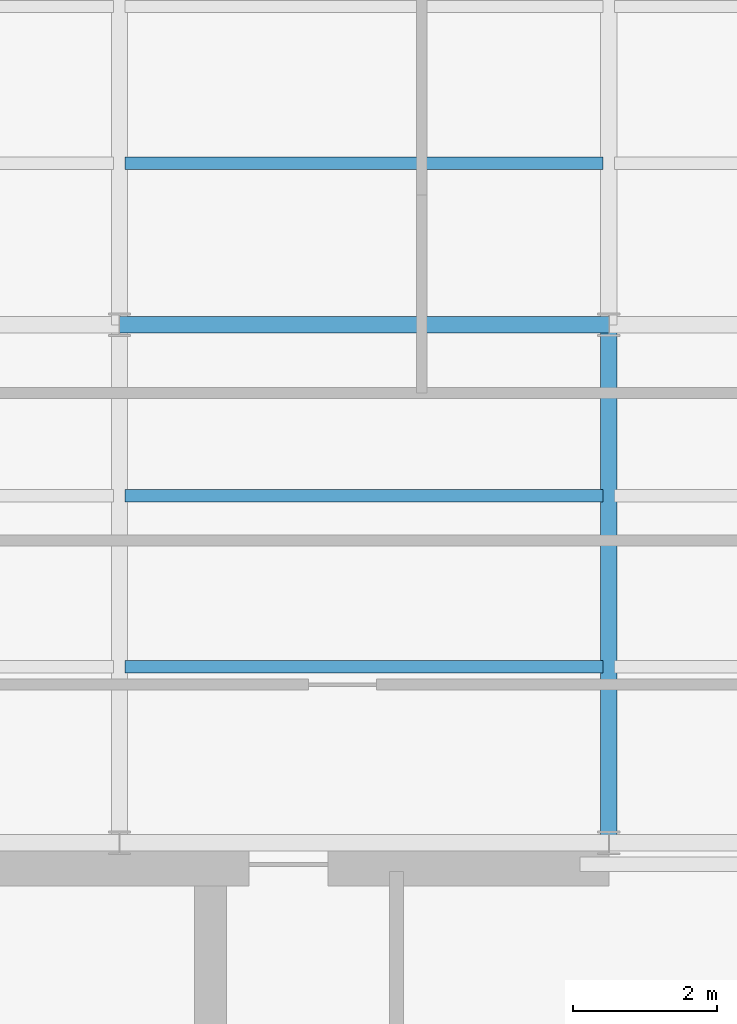
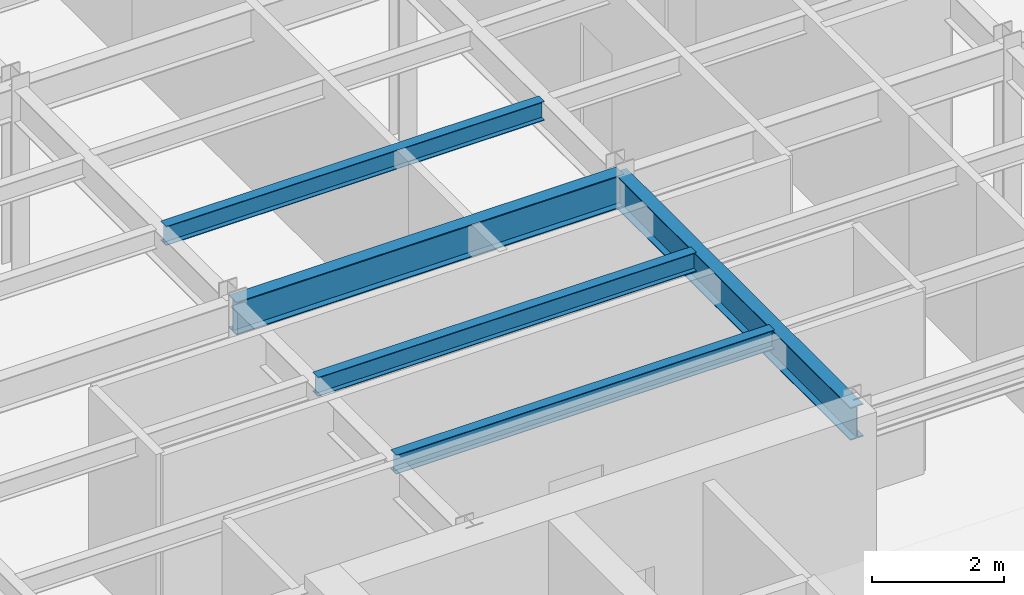
# One storey, part 6 of 22: 5 beams.
"""IFC4 building model written with IfcOpenShell, lengths in metres."""

from ifc_helpers import new_model, si_unit, derived_unit, direction, frame, origin, origin_2d, place, context, subcontext, project, spatial, i_section, extrude, source, transform, mapped, material, material_profile, profile_set, type_object, element, save


model = new_model("IFC4")

# Units and contexts
model_context = context("Model", 3, precision=1e-05, world=origin(), true_north=direction((0.0, 1.0)))
body_context = subcontext(model_context, "Body", "Model", "MODEL_VIEW")
ifc_project = project(units=[si_unit("LENGTHUNIT", "METRE"), si_unit("AREAUNIT", "SQUARE_METRE"), si_unit("VOLUMEUNIT", "CUBIC_METRE"), si_unit("PLANEANGLEUNIT", "RADIAN"), si_unit("MASSUNIT", "GRAM", prefix="KILO"), derived_unit("THERMALTRANSMITTANCEUNIT", [(si_unit("POWERUNIT", "WATT"), 1), (si_unit("LENGTHUNIT", "METRE"), -2), (si_unit("THERMODYNAMICTEMPERATUREUNIT", "KELVIN"), -1)])], contexts=[model_context])

# Site, building, storey
site_placement = place(None, origin())
site = spatial("IfcSite", under=ifc_project, at=site_placement, CompositionType="ELEMENT")
building_placement = place(site_placement, origin())
building = spatial("IfcBuilding", under=site, at=building_placement, Name="Skarnbrae Concourse Arena and Tower", CompositionType="ELEMENT")
storey_placement = place(building_placement, frame((0.0, 0.0, 228.75)))
storey = spatial("IfcBuildingStorey", under=building, at=storey_placement, Name="L59", CompositionType="ELEMENT", Elevation=228.75)

# Beams
ifc_material = material(Name="Steel CSA G40.21 350W", Category="steel")
ifc_material_profile_1 = material_profile(ifc_material, i_section(OverallWidth=0.22802734375, OverallDepth=0.60791015625, WebThickness=0.01123046875, FlangeThickness=0.017333984375, at=origin_2d()), Name="W610X113")
ifc_profile_set_1 = profile_set([ifc_material_profile_1], Name="Steel CSA G40.21 350W")
beam_type_1 = type_object("IfcBeamType", Name="BM-GIRD-W610X113", PredefinedType="BEAM", material=ifc_profile_set_1)
shared_shape_1 = source(origin(), body_context, "Body", "SweptSolid", [
    extrude(i_section(OverallWidth=0.22802734375, OverallDepth=0.60791015625, WebThickness=0.01123046875, FlangeThickness=0.017333984375, at=origin_2d()), origin(), (0.0, 0.0, 1.0), 6.7998046875),
])
beam_1_placement = place(storey_placement, frame((7.60009765625, 21.199951171875, 3.095947265625), z_axis=(1.0, 0.0, 0.0), x_axis=(0.0, 1.0, 0.0)))
element("IfcBeam", 1, at=beam_1_placement, inside=storey, type_object=beam_type_1, Name="L59 Primary E-W girder Y21.2-2", PredefinedType="BEAM", context=body_context, shape_type="MappedRepresentation", body=[
    mapped(shared_shape_1, transform((0.0, 0.0, 0.0))),
])
shared_shape_2 = source(origin(), body_context, "Body", "SweptSolid", [
    extrude(i_section(OverallWidth=0.22802734375, OverallDepth=0.60791015625, WebThickness=0.01123046875, FlangeThickness=0.017333984375, at=origin_2d()), origin(), (0.0, 0.0, 1.0), 7.199951171875),
])
beam_2_placement = place(storey_placement, frame((14.39990234375, 14.0, 3.095947265625), z_axis=(0.0, 1.0, 0.0), x_axis=(-1.0, 0.0, 0.0)))
element("IfcBeam", 2, at=beam_2_placement, inside=storey, type_object=beam_type_1, Name="L59 Primary N-S girder X14.4-1", PredefinedType="BEAM", context=body_context, shape_type="MappedRepresentation", body=[
    mapped(shared_shape_2, transform((0.0, 0.0, 0.0))),
])
ifc_material_profile_2 = material_profile(ifc_material, i_section(OverallWidth=0.1708984375, OverallDepth=0.35498046875, WebThickness=0.007080078125, FlangeThickness=0.01171875, at=origin_2d()), Name="W360X51")
ifc_profile_set_2 = profile_set([ifc_material_profile_2], Name="Steel CSA G40.21 350W")
beam_type_2 = type_object("IfcBeamType", Name="BM-JOIST-W360X51", PredefinedType="JOIST", material=ifc_profile_set_2)
shared_shape_3 = source(origin(), body_context, "Body", "SweptSolid", [
    extrude(i_section(OverallWidth=0.1708984375, OverallDepth=0.35498046875, WebThickness=0.007080078125, FlangeThickness=0.01171875, at=origin_2d()), origin(), (0.0, 0.0, 1.0), 6.64013671875),
])
for number, where, z_axis, x_axis, name in (
    (3, (7.679931640625, 16.447998046875, 3.222412109375), (1.0, 0.0, 0.0), (0.0, 1.0, 0.0), "L59 Secondary floor joist 1.1.2"),
    (4, (7.679931640625, 18.823974609375, 3.222412109375), (1.0, 0.0, 0.0), (0.0, 1.0, 0.0), "L59 Secondary floor joist 1.2.2"),
    (5, (7.679931640625, 23.444091796875, 3.222412109375), (1.0, 0.0, 0.0), (0.0, 1.0, 0.0), "L59 Secondary floor joist 2.1.2"),
):
    element("IfcBeam", number, at=place(storey_placement, frame(where, z_axis=z_axis, x_axis=x_axis)), inside=storey, type_object=beam_type_2, Name=name, PredefinedType="JOIST", context=body_context, shape_type="MappedRepresentation", body=[
        mapped(shared_shape_3, transform((0.0, 0.0, 0.0))),
    ])

save(model, "model.ifc")
